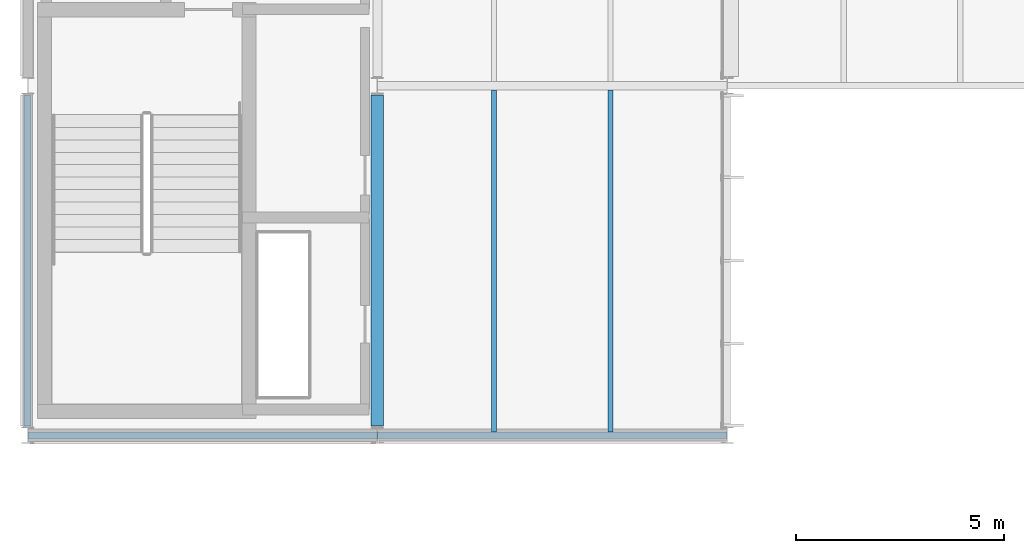
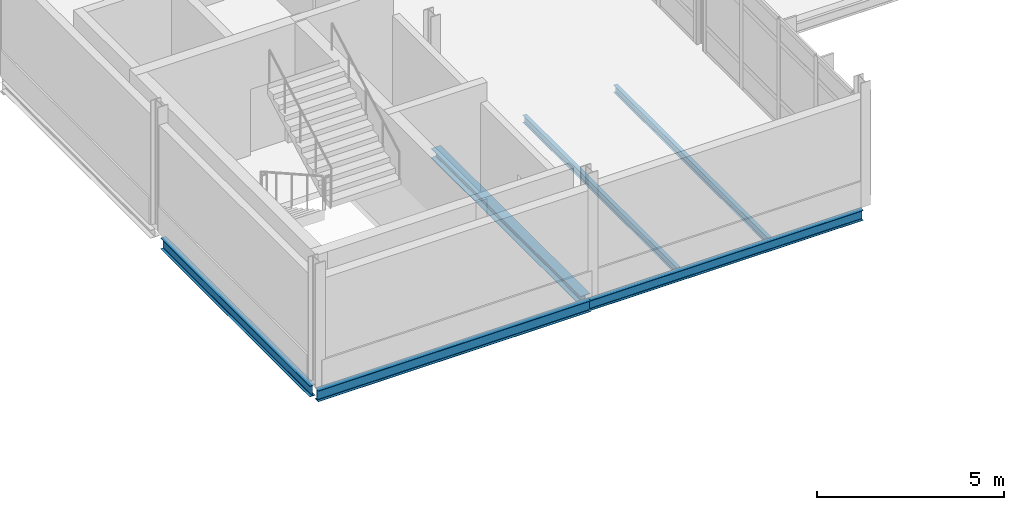
# One storey, part 37 of 151: 6 beams.
"""IFC4 building model written with IfcOpenShell, lengths in metres."""

import ifcopenshell
import ifcopenshell.guid

model = None  # the IFC model being written
_history = None  # IfcOwnerHistory: only IFC2X3 demands one
_inside = {}  # id of a spatial element -> (the spatial element, [elements in it])
_under = {}  # id of a project, library or spatial element -> (it, [spatial elements below it])
_declared = {}  # id of a project -> (the project, [libraries it declares])
_typed = {}  # id of a type object -> (the type object, [elements of that type])
_made_of = {}  # id of a material, layer set ... -> (it, [elements and type objects made of it])


def new_model(schema):
    """Start an empty IFC model of exactly this schema.

    Asked for "IFC4X3", IfcOpenShell would pick the latest addendum, in which some entities
    have other attributes; the version numbers below select the first issue.
    IFC2X3 requires an IfcOwnerHistory on every rooted entity: one is made here for all.
    """
    global model, _history
    if schema == "IFC4X3":
        model = ifcopenshell.file(schema_version=(4, 3, 0, 0))
    else:
        model = ifcopenshell.file(schema=schema)
    _inside.clear()
    _under.clear()
    _declared.clear()
    _typed.clear()
    _made_of.clear()
    _history = None
    if model.schema == "IFC2X3":
        org = make("IfcOrganization", Name="unknown")
        user = make(
            "IfcPersonAndOrganization",
            ThePerson=make("IfcPerson", FamilyName="unknown"),
            TheOrganization=org,
        )
        app = make(
            "IfcApplication",
            ApplicationDeveloper=org,
            Version="unknown",
            ApplicationFullName="unknown",
            ApplicationIdentifier="unknown",
        )
        _history = make(
            "IfcOwnerHistory",
            OwningUser=user,
            OwningApplication=app,
            ChangeAction="ADDED",
            CreationDate=0,
        )
    return model


def make(cls, **values):
    """One entity of the class cls with the attributes given. An attribute that is None is left unset."""
    return model.create_entity(
        cls, **{name: value for name, value in values.items() if value is not None}
    )


def rooted(cls, **values):
    """An entity with a GlobalId (a new one), such as an element, a storey or a relation."""
    return make(cls, GlobalId=ifcopenshell.guid.new(), OwnerHistory=_history, **values)


def si_unit(unit_type, name, prefix=None):
    """IfcSIUnit, for example si_unit("LENGTHUNIT", "METRE", prefix="MILLI")."""
    return make("IfcSIUnit", UnitType=unit_type, Prefix=prefix, Name=name)


def assignment(units):
    """IfcUnitAssignment: the units of a project."""
    return None if units is None else make("IfcUnitAssignment", Units=units)


def point(xyz):
    """IfcCartesianPoint."""
    return None if xyz is None else make("IfcCartesianPoint", Coordinates=xyz)


def direction(xyz):
    """IfcDirection."""
    return None if xyz is None else make("IfcDirection", DirectionRatios=xyz)


def frame(location, z_axis=None, x_axis=None):
    """IfcAxis2Placement3D, a coordinate frame: its origin and axes. An axis left out is left unset."""
    return make(
        "IfcAxis2Placement3D",
        Location=point(location),
        Axis=direction(z_axis),
        RefDirection=direction(x_axis),
    )


def frame_2d(location, x_axis=None):
    """IfcAxis2Placement2D, a coordinate frame in the plane: its origin and x axis."""
    return make(
        "IfcAxis2Placement2D", Location=point(location), RefDirection=direction(x_axis)
    )


def origin():
    """The frame at (0, 0, 0) with its axes left unset."""
    return frame((0.0, 0.0, 0.0))


def origin_2d():
    """The frame at (0, 0) in the plane with its x axis left unset."""
    return frame_2d((0.0, 0.0))


def place(relative_to, where):
    """IfcLocalPlacement: puts the frame where relative to a parent placement (None: the world)."""
    return make(
        "IfcLocalPlacement", PlacementRelTo=relative_to, RelativePlacement=where
    )


def context(
    kind, dimensions, precision=None, world=None, true_north=None, identifier=None
):
    """IfcGeometricRepresentationContext, for example the 3D "Model" context."""
    return make(
        "IfcGeometricRepresentationContext",
        ContextIdentifier=identifier,
        ContextType=kind,
        CoordinateSpaceDimension=dimensions,
        Precision=precision,
        WorldCoordinateSystem=world,
        TrueNorth=true_north,
    )


def subcontext(parent, identifier, kind, view, scale=None):
    """IfcGeometricRepresentationSubContext, for example "Body" below "Model"."""
    return make(
        "IfcGeometricRepresentationSubContext",
        ContextIdentifier=identifier,
        ContextType=kind,
        ParentContext=parent,
        TargetScale=scale,
        TargetView=view,
    )


def project(units=None, contexts=None):
    """IfcProject with its units and contexts."""
    return rooted(
        "IfcProject",
        Name="project",
        RepresentationContexts=contexts,
        UnitsInContext=assignment(units),
    )


def spatial(cls, under=None, at=None, **own):
    """A site, building, storey or space (cls), placed at a placement, below another one or the project."""
    s = rooted(cls, ObjectPlacement=at, **own)
    if under is not None:
        _under.setdefault(under.id(), (under, []))[1].append(s)
    return s


def profile(cls, at=None, kind="AREA", **sizes):
    """A parametric profile (cls). Its sizes go by their IFC names, for example OverallWidth=200.0."""
    return make(cls, ProfileType=kind, Position=at, **sizes)


def i_section(**sizes):
    """IfcIShapeProfileDef."""
    return profile("IfcIShapeProfileDef", **sizes)


def extrude(swept, where, along, depth):
    """IfcExtrudedAreaSolid: the profile swept, set in the frame where, extruded along a direction by depth."""
    return make(
        "IfcExtrudedAreaSolid",
        SweptArea=swept,
        Position=where,
        ExtrudedDirection=direction(along),
        Depth=depth,
    )


def shape(context_of_items, identifier, shape_type, items):
    """IfcShapeRepresentation: the items that make up one representation, for example the "Body"."""
    return make(
        "IfcShapeRepresentation",
        ContextOfItems=context_of_items,
        RepresentationIdentifier=identifier,
        RepresentationType=shape_type,
        Items=items,
    )


def material(Name=None, Category=None):
    """IfcMaterial."""
    return make("IfcMaterial", Name=Name, Category=Category)


def material_profile(
    of_material, cross_section, Name=None, Category=None, Priority=None
):
    """IfcMaterialProfile: a cross section and its material."""
    return make(
        "IfcMaterialProfile",
        Name=Name,
        Material=of_material,
        Profile=cross_section,
        Priority=Priority,
        Category=Category,
    )


def profile_set(profiles, Name=None, composite=None):
    """IfcMaterialProfileSet."""
    return make(
        "IfcMaterialProfileSet",
        Name=Name,
        MaterialProfiles=profiles,
        CompositeProfile=composite,
    )


def made_of(thing, what):
    """Note that an element or type object is made of a material, layer set ...; save() writes the relation."""
    if what is not None:
        _made_of.setdefault(what.id(), (what, []))[1].append(thing)
    return thing


def type_object(cls, material=None, **own):
    """A type object (cls), such as IfcWallType, which elements share."""
    return made_of(rooted(cls, **own), material)


def element(
    cls,
    number,
    at=None,
    inside=None,
    cuts=None,
    type_object=None,
    material=None,
    context=None,
    identifier="Body",
    shape_type=None,
    held_by="IfcProductDefinitionShape",
    body=None,
    shapes=None,
    **own,
):
    """One element of the class cls, such as IfcWall. Its Tag is "e" and its number.

    at: its placement. inside: the storey or other place that contains it. cuts: it is an
    opening in that element (IfcRelVoidsElement). A single representation is given by context,
    identifier, shape_type and body (its items); several are given by shapes. held_by: the class
    of the entity that holds the representations. save() writes the other relations.
    """
    e = rooted(cls, Tag="e%d" % number, ObjectPlacement=at, **own)
    if body is not None:
        shapes = [shape(context, identifier, shape_type, body)]
    if shapes is not None:
        e.Representation = make(held_by, Representations=shapes)
    if inside is not None:
        _inside.setdefault(inside.id(), (inside, []))[1].append(e)
    if cuts is not None:
        rooted(
            "IfcRelVoidsElement", RelatingBuildingElement=cuts, RelatedOpeningElement=e
        )
    if type_object is not None:
        _typed.setdefault(type_object.id(), (type_object, []))[1].append(e)
    return made_of(e, material)


def aggregate(whole, parts):
    """IfcRelAggregates: a whole, such as a stair, and the parts it consists of."""
    return rooted("IfcRelAggregates", RelatingObject=whole, RelatedObjects=parts)


def save(model, path):
    """Write the relations noted so far, then the file.

    IfcRelAggregates (storeys below a building ...), IfcRelContainedInSpatialStructure (elements
    in a storey), IfcRelDefinesByType, IfcRelAssociatesMaterial and IfcRelDeclares: one each for
    every whole, place, type object, material and project.
    """
    for whole, parts in _under.values():
        aggregate(whole, parts)
    for where, things in _inside.values():
        rooted(
            "IfcRelContainedInSpatialStructure",
            RelatedElements=things,
            RelatingStructure=where,
        )
    for kind, things in _typed.values():
        rooted("IfcRelDefinesByType", RelatedObjects=things, RelatingType=kind)
    for what, things in _made_of.values():
        rooted("IfcRelAssociatesMaterial", RelatedObjects=things, RelatingMaterial=what)
    for by, libraries in _declared.values():
        rooted("IfcRelDeclares", RelatingContext=by, RelatedDefinitions=libraries)
    model.write(path)


model = new_model("IFC4")

# Units and contexts
model_context = context("Model", 3, precision=1e-05, world=origin(), true_north=direction((0.0, 1.0)))
body_context = subcontext(model_context, "Body", "Model", "MODEL_VIEW")
ifc_project = project(units=[si_unit("LENGTHUNIT", "METRE"), si_unit("AREAUNIT", "SQUARE_METRE"), si_unit("VOLUMEUNIT", "CUBIC_METRE"), si_unit("PLANEANGLEUNIT", "RADIAN"), si_unit("MASSUNIT", "GRAM", prefix="KILO")], contexts=[model_context])

# Site, building, storey
site_placement = place(None, origin())
site = spatial("IfcSite", under=ifc_project, at=site_placement, CompositionType="ELEMENT")
building_placement = place(site_placement, origin())
building = spatial("IfcBuilding", under=site, at=building_placement, Name="Mersafa Astral City Hall", CompositionType="ELEMENT")
storey_placement = place(building_placement, frame((0.0, 0.0, 9.89990234375)))
storey = spatial("IfcBuildingStorey", under=building, at=storey_placement, Name="L02", CompositionType="ELEMENT", Elevation=9.89990234375)

# Beams
ifc_material = material(Name="Steel S355", Category="steel")
ifc_material_profile_1 = material_profile(ifc_material, i_section(OverallWidth=0.300048828125, OverallDepth=0.31005859375, WebThickness=0.009033203125, FlangeThickness=0.015380859375, FilletRadius=0.027099609375, at=origin_2d()), Name="HEA 320")
ifc_profile_set_1 = profile_set([ifc_material_profile_1], Name="Steel S355")
beam_type_1 = type_object("IfcBeamType", Name="STR-BM-HEA320", PredefinedType="BEAM", material=ifc_profile_set_1)
beam_1_placement = place(storey_placement, frame((16.800048828125, 75.820068359375, -0.35498046875), z_axis=(0.0, 1.0, 0.0), x_axis=(-1.0, 0.0, 0.0)))
element("IfcBeam", 1, at=beam_1_placement, inside=storey, type_object=beam_type_1, Name="L02 Primary girder Y 2-9", PredefinedType="BEAM", context=body_context, shape_type="SweptSolid", body=[
    extrude(i_section(OverallWidth=0.300048828125, OverallDepth=0.31005859375, WebThickness=0.009033203125, FlangeThickness=0.015380859375, FilletRadius=0.027099609375, at=origin_2d()), origin(), (0.0, 0.0, 1.0), 7.9599609375),
])
ifc_material_profile_2 = material_profile(ifc_material, i_section(OverallWidth=0.1201171875, OverallDepth=0.239990234375, WebThickness=0.006103515625, FlangeThickness=0.009765625, FilletRadius=0.014892578125, at=origin_2d()), Name="IPE 240")
ifc_profile_set_2 = profile_set([ifc_material_profile_2], Name="Steel S355")
beam_type_2 = type_object("IfcBeamType", Name="STR-BM-JOIST-IPE240", PredefinedType="JOIST", material=ifc_profile_set_2)
for number, where, z_axis, x_axis, name in (
    (2, (19.60009765625, 75.675048828125, -0.31982421875), (0.0, 1.0, 0.0), (-1.0, 0.0, 0.0), "L02 Composite secondary floor joist 406"),
    (3, (22.39990234375, 75.675048828125, -0.31982421875), (0.0, 1.0, 0.0), (-1.0, 0.0, 0.0), "L02 Composite secondary floor joist 407"),
):
    element("IfcBeam", number, at=place(storey_placement, frame(where, z_axis=z_axis, x_axis=x_axis)), inside=storey, type_object=beam_type_2, Name=name, PredefinedType="JOIST", context=body_context, shape_type="SweptSolid", body=[
        extrude(i_section(OverallWidth=0.1201171875, OverallDepth=0.239990234375, WebThickness=0.006103515625, FlangeThickness=0.009765625, FilletRadius=0.014892578125, at=origin_2d()), origin(), (0.0, 0.0, 1.0), 8.224853515625),
    ])
ifc_material_profile_3 = material_profile(ifc_material, i_section(OverallWidth=0.159912109375, OverallDepth=0.330078125, WebThickness=0.007568359375, FlangeThickness=0.011474609375, FilletRadius=0.01806640625, at=origin_2d()), Name="IPE 330")
ifc_profile_set_3 = profile_set([ifc_material_profile_3], Name="Steel S355")
beam_type_3 = type_object("IfcBeamType", Name="STR-BM-SPANDREL-IPE330", PredefinedType="SPANDREL", material=ifc_profile_set_3)
beam_2_placement = place(storey_placement, frame((16.802978515625, 75.60009765625, -0.364990234375), z_axis=(1.0, 0.0, 0.0), x_axis=(0.0, 1.0, 0.0)))
element("IfcBeam", 4, at=beam_2_placement, inside=storey, type_object=beam_type_3, Name="L02 Primary girder X 2-9", PredefinedType="SPANDREL", context=body_context, shape_type="SweptSolid", body=[
    extrude(i_section(OverallWidth=0.159912109375, OverallDepth=0.330078125, WebThickness=0.007568359375, FlangeThickness=0.011474609375, FilletRadius=0.01806640625, at=origin_2d()), origin(), (0.0, 0.0, 1.0), 8.39404296875),
])
ifc_material_profile_4 = material_profile(ifc_material, i_section(OverallWidth=0.169921875, OverallDepth=0.360107421875, WebThickness=0.008056640625, FlangeThickness=0.0126953125, FilletRadius=0.01806640625, at=origin_2d()), Name="IPE 360")
ifc_profile_set_4 = profile_set([ifc_material_profile_4], Name="Steel S355")
beam_type_4 = type_object("IfcBeamType", Name="STR-BM-SPANDREL-IPE360", PredefinedType="SPANDREL", material=ifc_profile_set_4)
beam_3_placement = place(storey_placement, frame((8.403076171875, 75.60009765625, -0.3798828125), z_axis=(1.0, 0.0, 0.0), x_axis=(0.0, 1.0, 0.0)))
element("IfcBeam", 5, at=beam_3_placement, inside=storey, type_object=beam_type_4, Name="L02 Primary girder X 1-9", PredefinedType="SPANDREL", context=body_context, shape_type="SweptSolid", body=[
    extrude(i_section(OverallWidth=0.169921875, OverallDepth=0.360107421875, WebThickness=0.008056640625, FlangeThickness=0.0126953125, FilletRadius=0.01806640625, at=origin_2d()), origin(), (0.0, 0.0, 1.0), 8.39404296875),
])
beam_4_placement = place(storey_placement, frame((8.39990234375, 75.820068359375, -0.3798828125), z_axis=(0.0, 1.0, 0.0), x_axis=(-1.0, 0.0, 0.0)))
element("IfcBeam", 6, at=beam_4_placement, inside=storey, type_object=beam_type_4, Name="L02 Primary girder Y 1-9", PredefinedType="SPANDREL", context=body_context, shape_type="SweptSolid", body=[
    extrude(i_section(OverallWidth=0.169921875, OverallDepth=0.360107421875, WebThickness=0.008056640625, FlangeThickness=0.0126953125, FilletRadius=0.01806640625, at=origin_2d()), origin(), (0.0, 0.0, 1.0), 7.9599609375),
])

save(model, "model.ifc")
